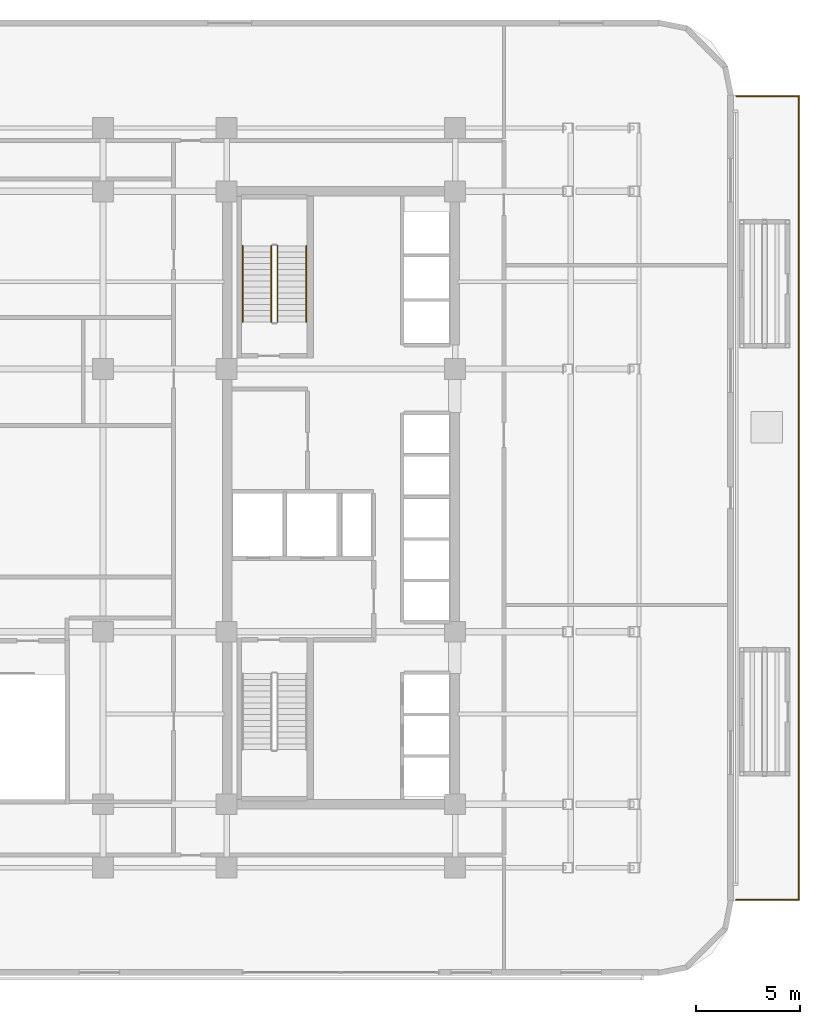
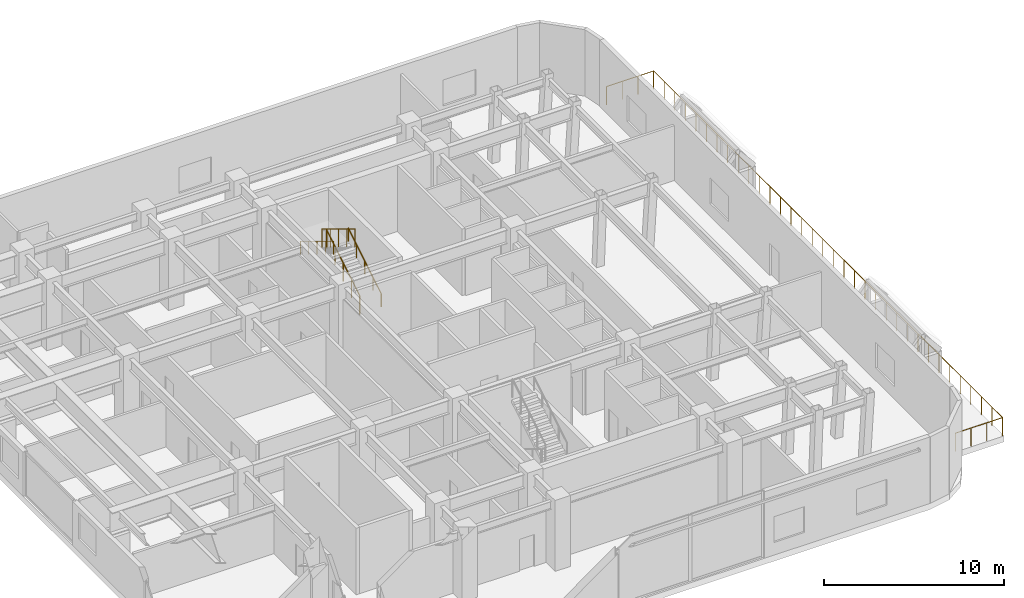
# One storey, part 17 of 18: 5 railings.
"""IFC4 building model written with IfcOpenShell, lengths in metres."""

from ifc_helpers import new_model, si_unit, direction, frame, origin, origin_2d, place, context, subcontext, project, spatial, circle, extrude, material, type_object, element, save


model = new_model("IFC4")

# Units and contexts
model_context = context("Model", 3, precision=1e-05, world=origin(), true_north=direction((0.0, 1.0)))
body_context = subcontext(model_context, "Body", "Model", "MODEL_VIEW")
ifc_project = project(units=[si_unit("LENGTHUNIT", "METRE"), si_unit("AREAUNIT", "SQUARE_METRE"), si_unit("VOLUMEUNIT", "CUBIC_METRE"), si_unit("PLANEANGLEUNIT", "RADIAN"), si_unit("MASSUNIT", "GRAM", prefix="KILO")], contexts=[model_context])

# Site, building, storey
site_placement = place(None, origin())
site = spatial("IfcSite", under=ifc_project, at=site_placement, CompositionType="ELEMENT")
building_placement = place(site_placement, origin())
building = spatial("IfcBuilding", under=site, at=building_placement, Name="Ochreholt Gables", CompositionType="ELEMENT")
storey_placement = place(building_placement, frame((0.0, 0.0, 19.199951171875)))
storey = spatial("IfcBuildingStorey", under=building, at=storey_placement, Name="L04", CompositionType="ELEMENT", Elevation=19.199951171875)

# Railings
ifc_material_1 = material(Name="Painted Steel Stair Guardrail", Category="steel")
railing_type_1 = type_object("IfcRailingType", Name="RL-ST-GUARD", PredefinedType="GUARDRAIL", material=ifc_material_1)
railing_1_placement = place(storey_placement, frame((26.64990234375, 32.4599609375, 0.17138671875)))
element("IfcRailing", 1, at=railing_1_placement, inside=storey, type_object=railing_type_1, Name="L04 ST-2 stair guard 1", PredefinedType="GUARDRAIL", context=body_context, shape_type="SweptSolid", body=[
    extrude(circle(Radius=0.02392578125, at=origin_2d()), frame((0.0, 0.0, 1.22607421875), z_axis=(0.0, 0.854480833863, 0.519482920374), x_axis=(-1.0, 0.0, 0.0)), (0.0, 0.0, 1.0), 4.290283203125),
    extrude(circle(Radius=0.02099609375, at=origin_2d()), origin(), (0.0, 0.0, 1.0), 1.201904296875),
    extrude(circle(Radius=0.02099609375, at=origin_2d()), frame((0.0, 0.91650390625, 0.55712890625)), (0.0, 0.0, 1.0), 1.201904296875),
    extrude(circle(Radius=0.02099609375, at=origin_2d()), frame((0.0, 1.8330078125, 1.1142578125)), (0.0, 0.0, 1.0), 1.201904296875),
    extrude(circle(Radius=0.02099609375, at=origin_2d()), frame((0.0, 2.74951171875, 1.671630859375)), (0.0, 0.0, 1.0), 1.201904296875),
    extrude(circle(Radius=0.02099609375, at=origin_2d()), frame((0.0, 3.666015625, 2.228759765625)), (0.0, 0.0, 1.0), 1.201904296875),
])
railing_2_placement = place(storey_placement, frame((26.35009765625, 36.1259765625, 2.571533203125)))
element("IfcRailing", 2, at=railing_2_placement, inside=storey, type_object=railing_type_1, Name="L04 ST-2 stair guard 3", PredefinedType="GUARDRAIL", context=body_context, shape_type="SweptSolid", body=[
    extrude(circle(Radius=0.02392578125, at=origin_2d()), frame((0.0, 0.0, 1.22607421875), z_axis=(0.0, -0.85450609292, 0.519441370283), x_axis=(1.0, 0.0, 0.0)), (0.0, 0.0, 1.0), 4.290283203125),
    extrude(circle(Radius=0.02099609375, at=origin_2d()), origin(), (0.0, 0.0, 1.0), 1.201904296875),
    extrude(circle(Radius=0.02099609375, at=origin_2d()), frame((0.0, -0.91650390625, 0.55712890625)), (0.0, 0.0, 1.0), 1.201904296875),
    extrude(circle(Radius=0.02099609375, at=origin_2d()), frame((0.0, -1.8330078125, 1.1142578125)), (0.0, 0.0, 1.0), 1.201904296875),
    extrude(circle(Radius=0.02099609375, at=origin_2d()), frame((0.0, -2.74951171875, 1.67138671875)), (0.0, 0.0, 1.0), 1.201904296875),
    extrude(circle(Radius=0.02099609375, at=origin_2d()), frame((0.0, -3.666015625, 2.228515625)), (0.0, 0.0, 1.0), 1.201904296875),
])
ifc_material_2 = material(Name="Brushed Stainless Steel Wall Handrail", Category="steel")
railing_type_2 = type_object("IfcRailingType", Name="RL-ST-HAND", PredefinedType="HANDRAIL", material=ifc_material_2)
railing_3_placement = place(storey_placement, frame((28.030029296875, 32.4599609375, 0.17138671875)))
element("IfcRailing", 3, at=railing_3_placement, inside=storey, type_object=railing_type_2, Name="L04 ST-2 stair handrail 1", PredefinedType="HANDRAIL", context=body_context, shape_type="SweptSolid", body=[
    extrude(circle(Radius=0.02392578125, at=origin_2d()), frame((0.0, 0.0, 0.8759765625), z_axis=(0.0, 0.854480833863, 0.519482920374), x_axis=(-1.0, 0.0, 0.0)), (0.0, 0.0, 1.0), 4.290283203125),
    extrude(circle(Radius=0.02099609375, at=origin_2d()), origin(), (0.0, 0.0, 1.0), 0.851806640625),
    extrude(circle(Radius=0.02099609375, at=origin_2d()), frame((0.0, 0.91650390625, 0.55712890625)), (0.0, 0.0, 1.0), 0.851806640625),
    extrude(circle(Radius=0.02099609375, at=origin_2d()), frame((0.0, 1.8330078125, 1.1142578125)), (0.0, 0.0, 1.0), 0.851806640625),
    extrude(circle(Radius=0.02099609375, at=origin_2d()), frame((0.0, 2.74951171875, 1.671630859375)), (0.0, 0.0, 1.0), 0.851806640625),
    extrude(circle(Radius=0.02099609375, at=origin_2d()), frame((0.0, 3.666015625, 2.228759765625)), (0.0, 0.0, 1.0), 0.851806640625),
])
railing_4_placement = place(storey_placement, frame((24.969970703125, 36.1259765625, 2.571533203125)))
element("IfcRailing", 4, at=railing_4_placement, inside=storey, type_object=railing_type_2, Name="L04 ST-2 stair handrail 2", PredefinedType="HANDRAIL", context=body_context, shape_type="SweptSolid", body=[
    extrude(circle(Radius=0.02392578125, at=origin_2d()), frame((0.0, 0.0, 0.8759765625), z_axis=(0.0, -0.85450609292, 0.519441370283), x_axis=(1.0, 0.0, 0.0)), (0.0, 0.0, 1.0), 4.290283203125),
    extrude(circle(Radius=0.02099609375, at=origin_2d()), origin(), (0.0, 0.0, 1.0), 0.851806640625),
    extrude(circle(Radius=0.02099609375, at=origin_2d()), frame((0.0, -0.91650390625, 0.55712890625)), (0.0, 0.0, 1.0), 0.851806640625),
    extrude(circle(Radius=0.02099609375, at=origin_2d()), frame((0.0, -1.8330078125, 1.1142578125)), (0.0, 0.0, 1.0), 0.851806640625),
    extrude(circle(Radius=0.02099609375, at=origin_2d()), frame((0.0, -2.74951171875, 1.67138671875)), (0.0, 0.0, 1.0), 0.851806640625),
    extrude(circle(Radius=0.02099609375, at=origin_2d()), frame((0.0, -3.666015625, 2.228515625)), (0.0, 0.0, 1.0), 0.851806640625),
])
ifc_material_3 = material(Name="Laminated Glass and Anodized Aluminium Guardrail", Category="aluminium")
railing_type_3 = type_object("IfcRailingType", Name="RL-TER-1250", PredefinedType="GUARDRAIL", material=ifc_material_3)
railing_5_placement = place(storey_placement, frame((48.72021484375, 4.659912109375, 0.0)))
element("IfcRailing", 5, at=railing_5_placement, inside=storey, type_object=railing_type_3, Name="L04 Terrace Perimeter Guardrail TR-L04-E", PredefinedType="GUARDRAIL", context=body_context, shape_type="SweptSolid", body=[
    extrude(circle(Radius=0.02392578125, at=origin_2d()), frame((0.0, 0.0, 1.22607421875), z_axis=(1.0, 0.0, 0.0), x_axis=(0.0, 1.0, 0.0)), (0.0, 0.0, 1.0), 3.019775390625),
    extrude(circle(Radius=0.02392578125, at=origin_2d()), frame((3.019775390625, 0.0, 1.22607421875), z_axis=(0.0, 1.0, 0.0), x_axis=(-1.0, 0.0, 0.0)), (0.0, 0.0, 1.0), 38.68017578125),
    extrude(circle(Radius=0.02392578125, at=origin_2d()), frame((3.019775390625, 38.68017578125, 1.22607421875), z_axis=(-1.0, 0.0, 0.0), x_axis=(0.0, -1.0, 0.0)), (0.0, 0.0, 1.0), 3.019775390625),
    extrude(circle(Radius=0.02099609375, at=origin_2d()), origin(), (0.0, 0.0, 1.0), 1.201904296875),
    extrude(circle(Radius=0.02099609375, at=origin_2d()), frame((1.006591796875, 0.0, 0.0)), (0.0, 0.0, 1.0), 1.201904296875),
    extrude(circle(Radius=0.02099609375, at=origin_2d()), frame((2.01318359375, 0.0, 0.0)), (0.0, 0.0, 1.0), 1.201904296875),
    extrude(circle(Radius=0.02099609375, at=origin_2d()), frame((3.019775390625, 0.0, 0.0)), (0.0, 0.0, 1.0), 1.201904296875),
    extrude(circle(Radius=0.02099609375, at=origin_2d()), frame((3.019775390625, 1.172119140625, 0.0)), (0.0, 0.0, 1.0), 1.201904296875),
    extrude(circle(Radius=0.02099609375, at=origin_2d()), frame((3.019775390625, 2.34423828125, 0.0)), (0.0, 0.0, 1.0), 1.201904296875),
    extrude(circle(Radius=0.02099609375, at=origin_2d()), frame((3.019775390625, 3.516357421875, 0.0)), (0.0, 0.0, 1.0), 1.201904296875),
    extrude(circle(Radius=0.02099609375, at=origin_2d()), frame((3.019775390625, 4.6884765625, 0.0)), (0.0, 0.0, 1.0), 1.201904296875),
    extrude(circle(Radius=0.02099609375, at=origin_2d()), frame((3.019775390625, 5.860595703125, 0.0)), (0.0, 0.0, 1.0), 1.201904296875),
    extrude(circle(Radius=0.02099609375, at=origin_2d()), frame((3.019775390625, 7.03271484375, 0.0)), (0.0, 0.0, 1.0), 1.201904296875),
    extrude(circle(Radius=0.02099609375, at=origin_2d()), frame((3.019775390625, 8.204833984375, 0.0)), (0.0, 0.0, 1.0), 1.201904296875),
    extrude(circle(Radius=0.02099609375, at=origin_2d()), frame((3.019775390625, 9.376953125, 0.0)), (0.0, 0.0, 1.0), 1.201904296875),
    extrude(circle(Radius=0.02099609375, at=origin_2d()), frame((3.019775390625, 10.549072265625, 0.0)), (0.0, 0.0, 1.0), 1.201904296875),
    extrude(circle(Radius=0.02099609375, at=origin_2d()), frame((3.019775390625, 11.72119140625, 0.0)), (0.0, 0.0, 1.0), 1.201904296875),
    extrude(circle(Radius=0.02099609375, at=origin_2d()), frame((3.019775390625, 12.893310546875, 0.0)), (0.0, 0.0, 1.0), 1.201904296875),
    extrude(circle(Radius=0.02099609375, at=origin_2d()), frame((3.019775390625, 14.0654296875, 0.0)), (0.0, 0.0, 1.0), 1.201904296875),
    extrude(circle(Radius=0.02099609375, at=origin_2d()), frame((3.019775390625, 15.237548828125, 0.0)), (0.0, 0.0, 1.0), 1.201904296875),
    extrude(circle(Radius=0.02099609375, at=origin_2d()), frame((3.019775390625, 16.40966796875, 0.0)), (0.0, 0.0, 1.0), 1.201904296875),
    extrude(circle(Radius=0.02099609375, at=origin_2d()), frame((3.019775390625, 17.581787109375, 0.0)), (0.0, 0.0, 1.0), 1.201904296875),
    extrude(circle(Radius=0.02099609375, at=origin_2d()), frame((3.019775390625, 18.75390625, 0.0)), (0.0, 0.0, 1.0), 1.201904296875),
    extrude(circle(Radius=0.02099609375, at=origin_2d()), frame((3.019775390625, 19.92626953125, 0.0)), (0.0, 0.0, 1.0), 1.201904296875),
    extrude(circle(Radius=0.02099609375, at=origin_2d()), frame((3.019775390625, 21.098388671875, 0.0)), (0.0, 0.0, 1.0), 1.201904296875),
    extrude(circle(Radius=0.02099609375, at=origin_2d()), frame((3.019775390625, 22.2705078125, 0.0)), (0.0, 0.0, 1.0), 1.201904296875),
    extrude(circle(Radius=0.02099609375, at=origin_2d()), frame((3.019775390625, 23.442626953125, 0.0)), (0.0, 0.0, 1.0), 1.201904296875),
    extrude(circle(Radius=0.02099609375, at=origin_2d()), frame((3.019775390625, 24.61474609375, 0.0)), (0.0, 0.0, 1.0), 1.201904296875),
    extrude(circle(Radius=0.02099609375, at=origin_2d()), frame((3.019775390625, 25.786865234375, 0.0)), (0.0, 0.0, 1.0), 1.201904296875),
    extrude(circle(Radius=0.02099609375, at=origin_2d()), frame((3.019775390625, 26.958984375, 0.0)), (0.0, 0.0, 1.0), 1.201904296875),
    extrude(circle(Radius=0.02099609375, at=origin_2d()), frame((3.019775390625, 28.131103515625, 0.0)), (0.0, 0.0, 1.0), 1.201904296875),
    extrude(circle(Radius=0.02099609375, at=origin_2d()), frame((3.019775390625, 29.30322265625, 0.0)), (0.0, 0.0, 1.0), 1.201904296875),
    extrude(circle(Radius=0.02099609375, at=origin_2d()), frame((3.019775390625, 30.475341796875, 0.0)), (0.0, 0.0, 1.0), 1.201904296875),
    extrude(circle(Radius=0.02099609375, at=origin_2d()), frame((3.019775390625, 31.6474609375, 0.0)), (0.0, 0.0, 1.0), 1.201904296875),
    extrude(circle(Radius=0.02099609375, at=origin_2d()), frame((3.019775390625, 32.819580078125, 0.0)), (0.0, 0.0, 1.0), 1.201904296875),
    extrude(circle(Radius=0.02099609375, at=origin_2d()), frame((3.019775390625, 33.99169921875, 0.0)), (0.0, 0.0, 1.0), 1.201904296875),
    extrude(circle(Radius=0.02099609375, at=origin_2d()), frame((3.019775390625, 35.163818359375, 0.0)), (0.0, 0.0, 1.0), 1.201904296875),
    extrude(circle(Radius=0.02099609375, at=origin_2d()), frame((3.019775390625, 36.3359375, 0.0)), (0.0, 0.0, 1.0), 1.201904296875),
    extrude(circle(Radius=0.02099609375, at=origin_2d()), frame((3.019775390625, 37.508056640625, 0.0)), (0.0, 0.0, 1.0), 1.201904296875),
    extrude(circle(Radius=0.02099609375, at=origin_2d()), frame((3.019775390625, 38.68017578125, 0.0)), (0.0, 0.0, 1.0), 1.201904296875),
    extrude(circle(Radius=0.02099609375, at=origin_2d()), frame((2.01318359375, 38.68017578125, 0.0)), (0.0, 0.0, 1.0), 1.201904296875),
    extrude(circle(Radius=0.02099609375, at=origin_2d()), frame((1.006591796875, 38.68017578125, 0.0)), (0.0, 0.0, 1.0), 1.201904296875),
    extrude(circle(Radius=0.02099609375, at=origin_2d()), frame((0.0, 38.68017578125, 0.0)), (0.0, 0.0, 1.0), 1.201904296875),
])

save(model, "model.ifc")
